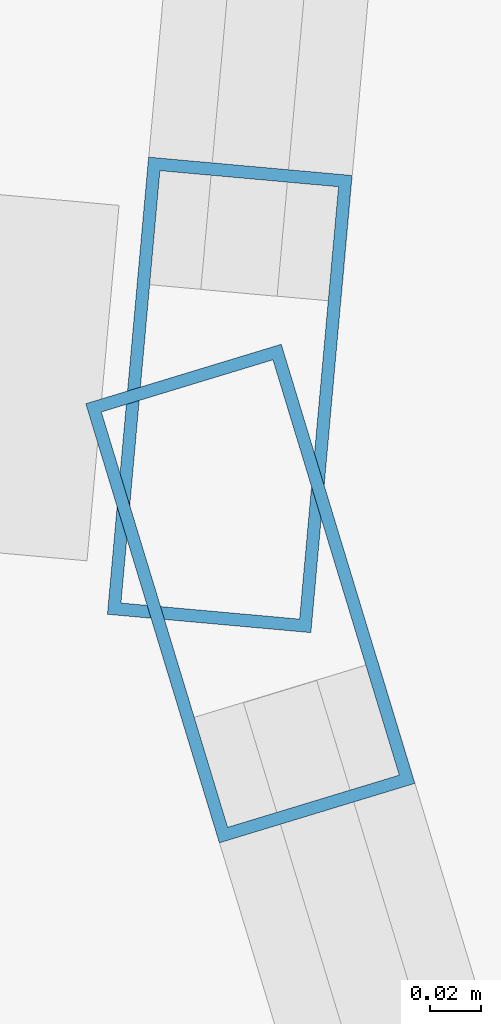
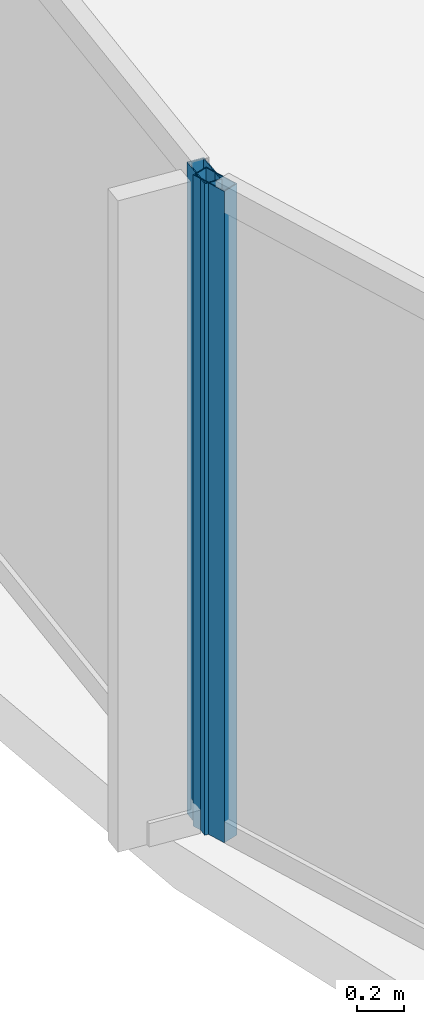
# One storey, part 8 of 33: 2 members, 2 elements without a shape of their own.
"""IFC4 building model written with IfcOpenShell, lengths in metres."""

from ifc_helpers import new_model, si_unit, direction, frame, origin, origin_2d, place, context, subcontext, project, spatial, hollow_rectangle, extrude, material, layer, layer_set, material_profile, profile_set, type_object, element, aggregate, save


model = new_model("IFC4")

# Units and contexts
model_context = context("Model", 3, precision=1e-05, world=origin(), true_north=direction((0.0, 1.0)))
body_context = subcontext(model_context, "Body", "Model", "MODEL_VIEW")
ifc_project = project(units=[si_unit("LENGTHUNIT", "METRE"), si_unit("AREAUNIT", "SQUARE_METRE"), si_unit("VOLUMEUNIT", "CUBIC_METRE"), si_unit("PLANEANGLEUNIT", "RADIAN"), si_unit("MASSUNIT", "GRAM", prefix="KILO")], contexts=[model_context])

# Site, building, storey
site_placement = place(None, origin())
site = spatial("IfcSite", under=ifc_project, at=site_placement, CompositionType="ELEMENT")
building_placement = place(site_placement, origin())
building = spatial("IfcBuilding", under=site, at=building_placement, Name="Kazevale Care Tower and Concert Hall", CompositionType="ELEMENT")
storey_placement = place(building_placement, frame((0.0, 0.0, 149.39990234375)))
storey = spatial("IfcBuildingStorey", under=building, at=storey_placement, Name="L39", CompositionType="ELEMENT", Elevation=149.39990234375)

# Curtain wall, member
ifc_material_1 = material(Name="Aluminium 6063-T6 and Low-E Glass", Category="aluminium")
ifc_layer = layer(ifc_material_1, 0.179931640625)
ifc_layer_set = layer_set([ifc_layer], Name="Aluminium 6063-T6 and Low-E Glass")
curtain_wall_type = type_object("IfcCurtainWallType", Name="Waist & Upper Residential Curtain Wall CW-4", PredefinedType="NOTDEFINED", material=ifc_layer_set)
curtain_wall_1_placement = place(storey_placement, origin())
curtain_wall_1 = element("IfcCurtainWall", 1, at=curtain_wall_1_placement, inside=storey, type_object=curtain_wall_type, Name="cw:L39:f12", PredefinedType="NOTDEFINED")
ifc_material_2 = material(Name="Aluminium 6063-T6", Category="aluminium")
ifc_material_profile = material_profile(ifc_material_2, hollow_rectangle(XDim=0.080078125, YDim=0.179931640625, WallThickness=0.0048828125, at=origin_2d()), Name="ALU80x180x5")
ifc_profile_set = profile_set([ifc_material_profile], Name="Aluminium 6063-T6")
member_type = type_object("IfcMemberType", Name="CW-4 Mullion ALU80x180x5", PredefinedType="MULLION", material=ifc_profile_set)
member_1_placement = place(storey_placement, frame((11.006591796875, 34.98583984375, 0.0), z_axis=(0.0, 0.0, 1.0), x_axis=(-0.956729897234, -0.290977496961, 0.0)))
member_1 = element("IfcMember", 2, at=member_1_placement, type_object=member_type, Name="CW-4 mullion 2", PredefinedType="MULLION", context=body_context, shape_type="SweptSolid", body=[
    extrude(hollow_rectangle(XDim=0.080078125, YDim=0.179931640625, WallThickness=0.0048828125, at=origin_2d()), origin(), (0.0, 0.0, 1.0), 3.360107421875),
])
aggregate(curtain_wall_1, [member_1])

curtain_wall_2_placement = place(storey_placement, origin())
curtain_wall_2 = element("IfcCurtainWall", 3, at=curtain_wall_2_placement, inside=storey, type_object=curtain_wall_type, Name="cw:L39:f13", PredefinedType="NOTDEFINED")
member_2_placement = place(storey_placement, frame((10.99853515625, 35.063720703125, 0.0), z_axis=(0.0, 0.0, 1.0), x_axis=(-0.995969703525, 0.089690298589, 0.0)))
member_2 = element("IfcMember", 4, at=member_2_placement, type_object=member_type, Name="CW-4 mullion 1", PredefinedType="MULLION", context=body_context, shape_type="SweptSolid", body=[
    extrude(hollow_rectangle(XDim=0.080078125, YDim=0.179931640625, WallThickness=0.0048828125, at=origin_2d()), origin(), (0.0, 0.0, 1.0), 3.360107421875),
])
aggregate(curtain_wall_2, [member_2])

save(model, "model.ifc")
